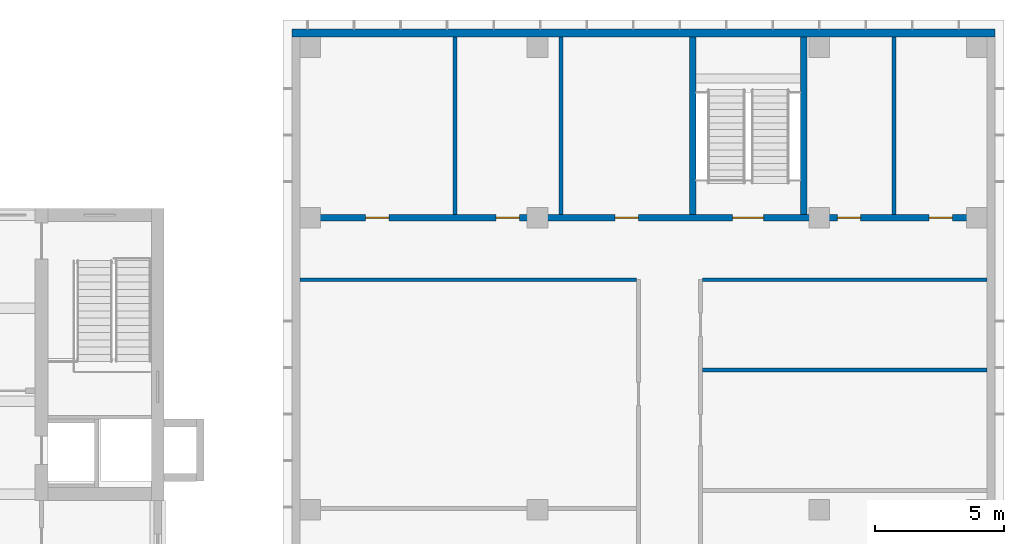
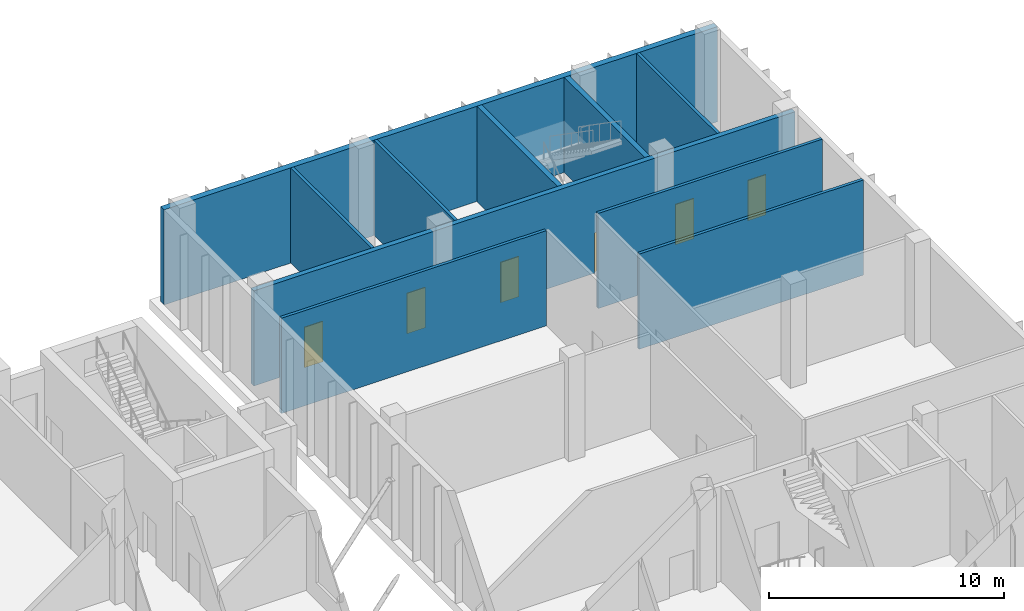
# One storey, part 25 of 38: 10 walls, 6 doors, 6 openings.
"""IFC4 building model written with IfcOpenShell, lengths in metres."""

from ifc_helpers import new_model, si_unit, direction, frame, frame_2d, origin, place, context, subcontext, project, spatial, rectangle, extrude, material, layer, layer_set, type_object, element, fill, save


model = new_model("IFC4")

# Units and contexts
model_context = context("Model", 3, precision=1e-05, world=origin(), true_north=direction((0.0, 1.0)))
body_context = subcontext(model_context, "Body", "Model", "MODEL_VIEW")
ifc_project = project(units=[si_unit("LENGTHUNIT", "METRE"), si_unit("AREAUNIT", "SQUARE_METRE"), si_unit("VOLUMEUNIT", "CUBIC_METRE"), si_unit("PLANEANGLEUNIT", "RADIAN"), si_unit("MASSUNIT", "GRAM", prefix="KILO")], contexts=[model_context])

# Site, building, storey
site_placement = place(None, origin())
site = spatial("IfcSite", under=ifc_project, at=site_placement, CompositionType="ELEMENT")
building_placement = place(site_placement, origin())
building = spatial("IfcBuilding", under=site, at=building_placement, Name="Basin Gate Institute", CompositionType="ELEMENT")
storey_placement = place(building_placement, frame((0.0, 0.0, 16.800048828125)))
storey = spatial("IfcBuildingStorey", under=building, at=storey_placement, Name="L03", CompositionType="ELEMENT", Elevation=16.800048828125)

# Wall, openings, doors
ifc_material_1 = material(Name="Concrete 40 MPa", Category="concrete")
ifc_layer_1 = layer(ifc_material_1, 0.25)
ifc_layer_set_1 = layer_set([ifc_layer_1], Name="Concrete 40 MPa")
wall_type_1 = type_object("IfcWallType", Name="Block enclosure wall W73 REI 120", PredefinedType="SOLIDWALL", material=ifc_layer_set_1)
wall_1_placement = place(storey_placement, frame((124.300048828125, 99.800048828125, 0.0), z_axis=(0.0, 0.0, 1.0), x_axis=(1.0, 0.0, 0.0)))
wall_1 = element("IfcWall", 1, at=wall_1_placement, inside=storey, type_object=wall_type_1, material=ifc_layer_set_1, Name="Stair and lift enclosure wall Cx9980-10 L03", PredefinedType="SOLIDWALL", context=body_context, shape_type="SweptSolid", body=[
    extrude(rectangle(XDim=26.599853515625, YDim=0.25, at=frame_2d((13.2998046875, 0.0))), origin(), (0.0, 0.0, 1.0), 4.949951171875),
])
opening_1_placement = place(wall_1_placement, frame((2.550048828125, 0.0, 0.0)))
opening_1 = element("IfcOpeningElement", 2, at=opening_1_placement, cuts=wall_1, Name="Opening D1066", PredefinedType="OPENING", context=body_context, shape_type="SweptSolid", body=[
    extrude(rectangle(XDim=0.89990234375, YDim=2.10009765625, at=frame_2d((0.449951171875, 1.050048828125))), frame((0.0, 0.135009765625, 0.0), z_axis=(0.0, -1.0, 0.0), x_axis=(1.0, 0.0, 0.0)), (0.0, 0.0, 1.0), 0.27001953125),
])
opening_2_placement = place(wall_1_placement, frame((7.60009765625, 0.0, 0.0)))
opening_2 = element("IfcOpeningElement", 3, at=opening_2_placement, cuts=wall_1, Name="Opening D1067", PredefinedType="OPENING", context=body_context, shape_type="SweptSolid", body=[
    extrude(rectangle(XDim=0.89990234375, YDim=2.10009765625, at=frame_2d((0.449951171875, 1.050048828125))), frame((0.0, 0.135009765625, 0.0), z_axis=(0.0, -1.0, 0.0), x_axis=(1.0, 0.0, 0.0)), (0.0, 0.0, 1.0), 0.27001953125),
])
opening_3_placement = place(wall_1_placement, frame((20.800048828125, 0.0, 0.0)))
opening_3 = element("IfcOpeningElement", 4, at=opening_3_placement, cuts=wall_1, Name="Opening D1068", PredefinedType="OPENING", context=body_context, shape_type="SweptSolid", body=[
    extrude(rectangle(XDim=0.89990234375, YDim=2.10009765625, at=frame_2d((0.449951171875, 1.050048828125))), frame((0.0, 0.135009765625, 0.0), z_axis=(0.0, -1.0, 0.0), x_axis=(1.0, 0.0, 0.0)), (0.0, 0.0, 1.0), 0.27001953125),
])
opening_4_placement = place(wall_1_placement, frame((24.35009765625, 0.0, 0.0)))
opening_4 = element("IfcOpeningElement", 5, at=opening_4_placement, cuts=wall_1, Name="Opening D1069", PredefinedType="OPENING", context=body_context, shape_type="SweptSolid", body=[
    extrude(rectangle(XDim=0.89990234375, YDim=2.10009765625, at=frame_2d((0.449951171875, 1.050048828125))), frame((0.0, 0.135009765625, 0.0), z_axis=(0.0, -1.0, 0.0), x_axis=(1.0, 0.0, 0.0)), (0.0, 0.0, 1.0), 0.27001953125),
])
opening_5_placement = place(wall_1_placement, frame((12.199951171875, 0.0, 0.0)))
opening_5 = element("IfcOpeningElement", 6, at=opening_5_placement, cuts=wall_1, Name="Opening D1071", PredefinedType="OPENING", context=body_context, shape_type="SweptSolid", body=[
    extrude(rectangle(XDim=0.89990234375, YDim=2.10009765625, at=frame_2d((0.449951171875, 1.050048828125))), frame((0.0, 0.135009765625, 0.0), z_axis=(0.0, -1.0, 0.0), x_axis=(1.0, 0.0, 0.0)), (0.0, 0.0, 1.0), 0.27001953125),
])
opening_6_placement = place(wall_1_placement, frame((16.75, 0.0, 0.0)))
opening_6 = element("IfcOpeningElement", 7, at=opening_6_placement, cuts=wall_1, Name="Opening D1073", PredefinedType="OPENING", context=body_context, shape_type="SweptSolid", body=[
    extrude(rectangle(XDim=1.199951171875, YDim=2.10009765625, at=frame_2d((0.60009765625, 1.050048828125))), frame((0.0, 0.135009765625, 0.0), z_axis=(0.0, -1.0, 0.0), x_axis=(1.0, 0.0, 0.0)), (0.0, 0.0, 1.0), 0.27001953125),
])
ifc_material_2 = material(Name="Timber door leaf in steel frame", Category="steel")
door_type_1 = type_object("IfcDoorType", Name="Block door 900 single swing", OperationType="NOTDEFINED", PredefinedType="DOOR", material=ifc_material_2)
door_1_placement = place(opening_1_placement, origin())
door_1 = element("IfcDoor", 8, at=door_1_placement, inside=storey, type_object=door_type_1, material=ifc_material_2, Name="Interstitial Plant Room 3 door L03", OperationType="SINGLE_SWING_LEFT", OverallHeight=2.10009765625, OverallWidth=0.89990234375, PredefinedType="DOOR", context=body_context, shape_type="SweptSolid", body=[
    extrude(rectangle(XDim=0.89990234375, YDim=2.10009765625, at=frame_2d((0.449951171875, 1.050048828125))), frame((0.0, 0.02490234375, 0.0), z_axis=(0.0, -1.0, 0.0), x_axis=(1.0, 0.0, 0.0)), (0.0, 0.0, 1.0), 0.050048828125),
])
fill(opening_1, door_1)
door_2_placement = place(opening_2_placement, origin())
door_2 = element("IfcDoor", 9, at=door_2_placement, inside=storey, type_object=door_type_1, material=ifc_material_2, Name="Cleaning Store door L03", OperationType="SINGLE_SWING_RIGHT", OverallHeight=2.10009765625, OverallWidth=0.89990234375, PredefinedType="DOOR", context=body_context, shape_type="SweptSolid", body=[
    extrude(rectangle(XDim=0.89990234375, YDim=2.10009765625, at=frame_2d((0.449951171875, 1.050048828125))), frame((0.0, 0.02490234375, 0.0), z_axis=(0.0, -1.0, 0.0), x_axis=(1.0, 0.0, 0.0)), (0.0, 0.0, 1.0), 0.050048828125),
])
fill(opening_2, door_2)
door_3_placement = place(opening_3_placement, origin())
door_3 = element("IfcDoor", 10, at=door_3_placement, inside=storey, type_object=door_type_1, material=ifc_material_2, Name="Accessible WC door L03", OperationType="SINGLE_SWING_LEFT", OverallHeight=2.10009765625, OverallWidth=0.89990234375, PredefinedType="DOOR", context=body_context, shape_type="SweptSolid", body=[
    extrude(rectangle(XDim=0.89990234375, YDim=2.10009765625, at=frame_2d((0.449951171875, 1.050048828125))), frame((0.0, 0.02490234375, 0.0), z_axis=(0.0, -1.0, 0.0), x_axis=(1.0, 0.0, 0.0)), (0.0, 0.0, 1.0), 0.050048828125),
])
fill(opening_3, door_3)
door_4_placement = place(opening_4_placement, origin())
door_4 = element("IfcDoor", 11, at=door_4_placement, inside=storey, type_object=door_type_1, material=ifc_material_2, Name="Male WC door L03", OperationType="SINGLE_SWING_RIGHT", OverallHeight=2.10009765625, OverallWidth=0.89990234375, PredefinedType="DOOR", context=body_context, shape_type="SweptSolid", body=[
    extrude(rectangle(XDim=0.89990234375, YDim=2.10009765625, at=frame_2d((0.449951171875, 1.050048828125))), frame((0.0, 0.02490234375, 0.0), z_axis=(0.0, -1.0, 0.0), x_axis=(1.0, 0.0, 0.0)), (0.0, 0.0, 1.0), 0.050048828125),
])
fill(opening_4, door_4)
door_5_placement = place(opening_5_placement, origin())
door_5 = element("IfcDoor", 12, at=door_5_placement, inside=storey, type_object=door_type_1, material=ifc_material_2, Name="Utility Room door L03", OperationType="SINGLE_SWING_RIGHT", OverallHeight=2.10009765625, OverallWidth=0.89990234375, PredefinedType="DOOR", context=body_context, shape_type="SweptSolid", body=[
    extrude(rectangle(XDim=0.89990234375, YDim=2.10009765625, at=frame_2d((0.449951171875, 1.050048828125))), frame((0.0, 0.02490234375, 0.0), z_axis=(0.0, -1.0, 0.0), x_axis=(1.0, 0.0, 0.0)), (0.0, 0.0, 1.0), 0.050048828125),
])
fill(opening_5, door_5)
ifc_material_3 = material(Name="Steel fire door leaf", Category="steel")
door_type_2 = type_object("IfcDoorType", Name="FD60 door 1200 single swing", OperationType="NOTDEFINED", PredefinedType="DOOR", material=ifc_material_3)
door_6_placement = place(opening_6_placement, origin())
door_6 = element("IfcDoor", 13, at=door_6_placement, inside=storey, type_object=door_type_2, material=ifc_material_3, Name="Stair door ST-C8 L03", OperationType="SINGLE_SWING_RIGHT", OverallHeight=2.10009765625, OverallWidth=1.199951171875, PredefinedType="DOOR", context=body_context, shape_type="SweptSolid", body=[
    extrude(rectangle(XDim=1.199951171875, YDim=2.10009765625, at=frame_2d((0.60009765625, 1.050048828125))), frame((0.0, 0.02490234375, 0.0), z_axis=(0.0, -1.0, 0.0), x_axis=(1.0, 0.0, 0.0)), (0.0, 0.0, 1.0), 0.050048828125),
])
fill(opening_6, door_6)

# Walls
for number, where, z_axis, x_axis, name in (
    (14, (139.5, 99.925048828125, 0.0), (0.0, 0.0, 1.0), (0.0, 1.0, 0.0), "Stair and lift enclosure wall Cy13950-17 L03"),
    (15, (143.800048828125, 99.925048828125, 0.0), (0.0, 0.0, 1.0), (0.0, 1.0, 0.0), "Stair and lift enclosure wall Cy14380-20 L03"),
):
    element("IfcWall", number, at=place(storey_placement, frame(where, z_axis=z_axis, x_axis=x_axis)), inside=storey, type_object=wall_type_1, material=ifc_layer_set_1, Name=name, PredefinedType="SOLIDWALL", context=body_context, shape_type="SweptSolid", body=[
        extrude(rectangle(XDim=6.875, YDim=0.25, at=frame_2d((3.4375, 0.0))), origin(), (0.0, 0.0, 1.0), 4.949951171875),
    ])
ifc_material_4 = material(Name="Insulated sandwich panel, mineral wool core, galvanised sheet faces")
ifc_layer_2 = layer(ifc_material_4, 0.300048828125)
ifc_layer_set_2 = layer_set([ifc_layer_2], Name="Clean block insulated panel wall W80 EI 60")
wall_type_2 = type_object("IfcWallType", Name="Clean block insulated panel wall W80 EI 60", PredefinedType="SOLIDWALL", material=ifc_layer_set_2)
wall_2_placement = place(storey_placement, frame((124.0, 106.949951171875, 0.0), z_axis=(0.0, 0.0, 1.0), x_axis=(1.0, 0.0, 0.0)))
element("IfcWall", 16, at=wall_2_placement, inside=storey, type_object=wall_type_2, material=ifc_layer_set_2, Name="Clean block insulated panel wall north L03", PredefinedType="SOLIDWALL", context=body_context, shape_type="SweptSolid", body=[
    extrude(rectangle(XDim=27.199951171875, YDim=0.300048828125, at=frame_2d((13.60009765625, 0.0))), origin(), (0.0, 0.0, 1.0), 4.949951171875),
])
ifc_material_5 = material(Name="Gypsum board partition on steel studs, 60 minute", Category="steel")
ifc_layer_3 = layer(ifc_material_5, 0.14990234375)
ifc_layer_set_3 = layer_set([ifc_layer_3], Name="Gypsum board partition on steel studs, 60 minute")
wall_type_3 = type_object("IfcWallType", Name="Clean block partition PW72 EI 60", PredefinedType="SOLIDWALL", material=ifc_layer_set_3)
wall_3_placement = place(storey_placement, frame((139.875, 93.906982421875, 0.0), z_axis=(0.0, 0.0, 1.0), x_axis=(1.0, 0.0, 0.0)))
element("IfcWall", 17, at=wall_3_placement, inside=storey, type_object=wall_type_3, material=ifc_layer_set_3, Name="Clean block partition Cx9391-7 L03", PredefinedType="SOLIDWALL", context=body_context, shape_type="SweptSolid", body=[
    extrude(rectangle(XDim=11.02490234375, YDim=0.14990234375, at=frame_2d((5.512451171875, 0.0))), origin(), (0.0, 0.0, 1.0), 4.949951171875),
])
wall_4_placement = place(storey_placement, frame((124.300048828125, 97.39990234375, 0.0), z_axis=(0.0, 0.0, 1.0), x_axis=(1.0, 0.0, 0.0)))
element("IfcWall", 18, at=wall_4_placement, inside=storey, type_object=wall_type_3, material=ifc_layer_set_3, Name="Clean block partition Cx9740-8 L03", PredefinedType="SOLIDWALL", context=body_context, shape_type="SweptSolid", body=[
    extrude(rectangle(XDim=13.02490234375, YDim=0.14990234375, at=frame_2d((6.512451171875, 0.0))), origin(), (0.0, 0.0, 1.0), 4.949951171875),
])
wall_5_placement = place(storey_placement, frame((139.875, 97.39990234375, 0.0), z_axis=(0.0, 0.0, 1.0), x_axis=(1.0, 0.0, 0.0)))
element("IfcWall", 19, at=wall_5_placement, inside=storey, type_object=wall_type_3, material=ifc_layer_set_3, Name="Clean block partition Cx9740-9 L03", PredefinedType="SOLIDWALL", context=body_context, shape_type="SweptSolid", body=[
    extrude(rectangle(XDim=11.02490234375, YDim=0.14990234375, at=frame_2d((5.512451171875, 0.0))), origin(), (0.0, 0.0, 1.0), 4.949951171875),
])
for number, where, z_axis, x_axis, name in (
    (20, (130.300048828125, 99.925048828125, 0.0), (0.0, 0.0, 1.0), (0.0, 1.0, 0.0), "Clean block partition Cy13030-12 L03"),
    (21, (134.39990234375, 99.925048828125, 0.0), (0.0, 0.0, 1.0), (0.0, 1.0, 0.0), "Clean block partition Cy13440-14 L03"),
    (22, (147.300048828125, 99.925048828125, 0.0), (0.0, 0.0, 1.0), (0.0, 1.0, 0.0), "Clean block partition Cy14730-21 L03"),
):
    element("IfcWall", number, at=place(storey_placement, frame(where, z_axis=z_axis, x_axis=x_axis)), inside=storey, type_object=wall_type_3, material=ifc_layer_set_3, Name=name, PredefinedType="SOLIDWALL", context=body_context, shape_type="SweptSolid", body=[
        extrude(rectangle(XDim=6.875, YDim=0.14990234375, at=frame_2d((3.4375, 0.0))), origin(), (0.0, 0.0, 1.0), 4.949951171875),
    ])

save(model, "model.ifc")
